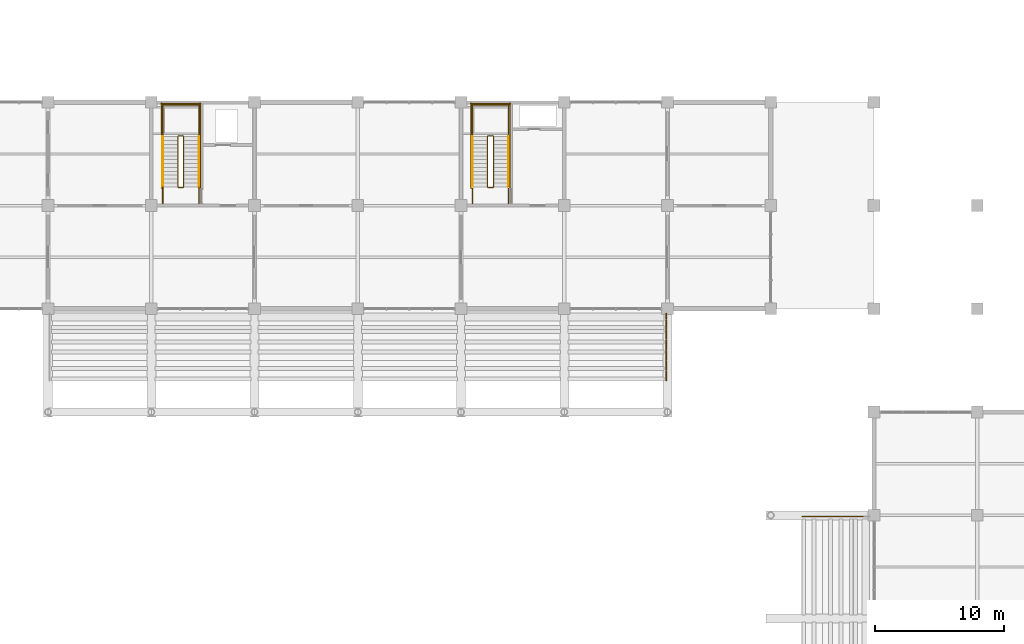
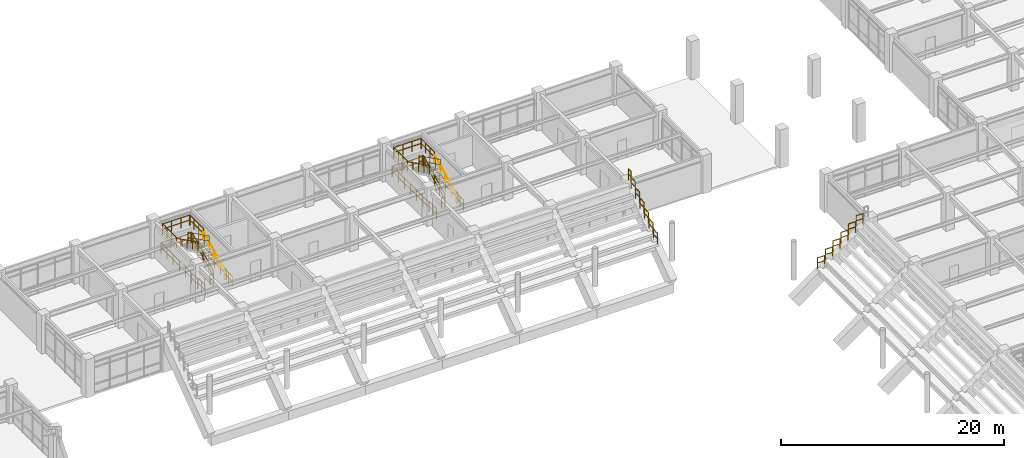
# One storey, part 116 of 118: 41 railings.
"""IFC4 building model written with IfcOpenShell, lengths in metres."""

from ifc_helpers import new_model, si_unit, direction, frame, origin, origin_2d, place, context, subcontext, project, spatial, circle, extrude, material, type_object, element, save


model = new_model("IFC4")

# Units and contexts
model_context = context("Model", 3, precision=1e-05, world=origin(), true_north=direction((0.0, 1.0)))
body_context = subcontext(model_context, "Body", "Model", "MODEL_VIEW")
ifc_project = project(units=[si_unit("LENGTHUNIT", "METRE"), si_unit("AREAUNIT", "SQUARE_METRE"), si_unit("VOLUMEUNIT", "CUBIC_METRE"), si_unit("PLANEANGLEUNIT", "RADIAN"), si_unit("MASSUNIT", "GRAM", prefix="KILO")], contexts=[model_context])

# Site, building, storey
site_placement = place(None, origin())
site = spatial("IfcSite", under=ifc_project, at=site_placement, CompositionType="ELEMENT")
building_placement = place(site_placement, origin())
building = spatial("IfcBuilding", under=site, at=building_placement, Name="Haebicheon Civic Stadium", CompositionType="ELEMENT")
storey_placement = place(building_placement, frame((0.0, 0.0, 14.39990234375)))
storey = spatial("IfcBuildingStorey", under=building, at=storey_placement, Name="L04", CompositionType="ELEMENT", Elevation=14.39990234375)

# Railings
ifc_material_1 = material(Name="Stainless steel 316 and laminated glass", Category="steel")
railing_type_1 = type_object("IfcRailingType", Name="RL-BAL-1200", PredefinedType="BALUSTRADE", material=ifc_material_1)
for number, where, name in (
    (1, (138.43994140625, 135.89990234375, 0.3330078125), "TIER-E-U end-aisle side guard N.4"),
    (2, (139.239990234375, 135.89990234375, 0.97802734375), "TIER-E-U end-aisle side guard N.5"),
    (3, (140.0400390625, 135.89990234375, 1.6220703125), "TIER-E-U end-aisle side guard N.6"),
    (4, (140.840087890625, 135.89990234375, 2.26708984375), "TIER-E-U end-aisle side guard N.7"),
):
    element("IfcRailing", number, at=place(storey_placement, frame(where)), inside=storey, type_object=railing_type_1, material=ifc_material_1, Name=name, PredefinedType="BALUSTRADE", context=body_context, shape_type="SweptSolid", body=[
        extrude(circle(Radius=0.02392578125, at=origin_2d()), frame((0.0, 0.0, 1.17578125), z_axis=(1.0, 0.0, 0.0), x_axis=(0.0, 1.0, 0.0)), (0.0, 0.0, 1.0), 0.719970703125),
        extrude(circle(Radius=0.02392578125, at=origin_2d()), frame((0.0, 0.0, 0.60009765625), z_axis=(1.0, 0.0, 0.0), x_axis=(0.0, 1.0, 0.0)), (0.0, 0.0, 1.0), 0.719970703125),
        extrude(circle(Radius=0.02099609375, at=origin_2d()), origin(), (0.0, 0.0, 1.0), 1.15185546875),
        extrude(circle(Radius=0.02099609375, at=origin_2d()), frame((0.719970703125, 0.0, 0.0)), (0.0, 0.0, 1.0), 1.15185546875),
    ])
railing_1_placement = place(storey_placement, frame((141.639892578125, 135.89990234375, 2.9111328125)))
element("IfcRailing", 5, at=railing_1_placement, inside=storey, type_object=railing_type_1, material=ifc_material_1, Name="TIER-E-U end-aisle side guard N.8", PredefinedType="BALUSTRADE", context=body_context, shape_type="SweptSolid", body=[
    extrude(circle(Radius=0.02392578125, at=origin_2d()), frame((0.0, 0.0, 1.17578125), z_axis=(1.0, 0.0, 0.0), x_axis=(0.0, 1.0, 0.0)), (0.0, 0.0, 1.0), 0.72021484375),
    extrude(circle(Radius=0.02392578125, at=origin_2d()), frame((0.0, 0.0, 0.60009765625), z_axis=(1.0, 0.0, 0.0), x_axis=(0.0, 1.0, 0.0)), (0.0, 0.0, 1.0), 0.72021484375),
    extrude(circle(Radius=0.02099609375, at=origin_2d()), origin(), (0.0, 0.0, 1.0), 1.15185546875),
    extrude(circle(Radius=0.02099609375, at=origin_2d()), frame((0.72021484375, 0.0, 0.0)), (0.0, 0.0, 1.0), 1.15185546875),
])
railing_2_placement = place(storey_placement, frame((142.43994140625, 135.89990234375, 3.55615234375)))
element("IfcRailing", 6, at=railing_2_placement, inside=storey, type_object=railing_type_1, material=ifc_material_1, Name="TIER-E-U end-aisle side guard N.9", PredefinedType="BALUSTRADE", context=body_context, shape_type="SweptSolid", body=[
    extrude(circle(Radius=0.02392578125, at=origin_2d()), frame((0.0, 0.0, 1.17578125), z_axis=(1.0, 0.0, 0.0), x_axis=(0.0, 1.0, 0.0)), (0.0, 0.0, 1.0), 0.719970703125),
    extrude(circle(Radius=0.02392578125, at=origin_2d()), frame((0.0, 0.0, 0.60009765625), z_axis=(1.0, 0.0, 0.0), x_axis=(0.0, 1.0, 0.0)), (0.0, 0.0, 1.0), 0.719970703125),
    extrude(circle(Radius=0.02099609375, at=origin_2d()), origin(), (0.0, 0.0, 1.0), 1.15185546875),
    extrude(circle(Radius=0.02099609375, at=origin_2d()), frame((0.719970703125, 0.0, 0.0)), (0.0, 0.0, 1.0), 1.15185546875),
])
for number, where, name in (
    (7, (127.89990234375, 146.43994140625, 0.3330078125), "TIER-N-U end-aisle side guard E.4"),
    (8, (127.89990234375, 147.239990234375, 0.97802734375), "TIER-N-U end-aisle side guard E.5"),
    (9, (127.89990234375, 148.0400390625, 1.6220703125), "TIER-N-U end-aisle side guard E.6"),
    (10, (127.89990234375, 148.840087890625, 2.26708984375), "TIER-N-U end-aisle side guard E.7"),
):
    element("IfcRailing", number, at=place(storey_placement, frame(where)), inside=storey, type_object=railing_type_1, material=ifc_material_1, Name=name, PredefinedType="BALUSTRADE", context=body_context, shape_type="SweptSolid", body=[
        extrude(circle(Radius=0.02392578125, at=origin_2d()), frame((0.0, 0.0, 1.17578125), z_axis=(0.0, 1.0, 0.0), x_axis=(-1.0, 0.0, 0.0)), (0.0, 0.0, 1.0), 0.719970703125),
        extrude(circle(Radius=0.02392578125, at=origin_2d()), frame((0.0, 0.0, 0.60009765625), z_axis=(0.0, 1.0, 0.0), x_axis=(-1.0, 0.0, 0.0)), (0.0, 0.0, 1.0), 0.719970703125),
        extrude(circle(Radius=0.02099609375, at=origin_2d()), origin(), (0.0, 0.0, 1.0), 1.15185546875),
        extrude(circle(Radius=0.02099609375, at=origin_2d()), frame((0.0, 0.719970703125, 0.0)), (0.0, 0.0, 1.0), 1.15185546875),
    ])
railing_3_placement = place(storey_placement, frame((127.89990234375, 149.639892578125, 2.9111328125)))
element("IfcRailing", 11, at=railing_3_placement, inside=storey, type_object=railing_type_1, material=ifc_material_1, Name="TIER-N-U end-aisle side guard E.8", PredefinedType="BALUSTRADE", context=body_context, shape_type="SweptSolid", body=[
    extrude(circle(Radius=0.02392578125, at=origin_2d()), frame((0.0, 0.0, 1.17578125), z_axis=(0.0, 1.0, 0.0), x_axis=(-1.0, 0.0, 0.0)), (0.0, 0.0, 1.0), 0.72021484375),
    extrude(circle(Radius=0.02392578125, at=origin_2d()), frame((0.0, 0.0, 0.60009765625), z_axis=(0.0, 1.0, 0.0), x_axis=(-1.0, 0.0, 0.0)), (0.0, 0.0, 1.0), 0.72021484375),
    extrude(circle(Radius=0.02099609375, at=origin_2d()), origin(), (0.0, 0.0, 1.0), 1.15185546875),
    extrude(circle(Radius=0.02099609375, at=origin_2d()), frame((0.0, 0.72021484375, 0.0)), (0.0, 0.0, 1.0), 1.15185546875),
])
railing_4_placement = place(storey_placement, frame((127.89990234375, 150.43994140625, 3.55615234375)))
element("IfcRailing", 12, at=railing_4_placement, inside=storey, type_object=railing_type_1, material=ifc_material_1, Name="TIER-N-U end-aisle side guard E.9", PredefinedType="BALUSTRADE", context=body_context, shape_type="SweptSolid", body=[
    extrude(circle(Radius=0.02392578125, at=origin_2d()), frame((0.0, 0.0, 1.17578125), z_axis=(0.0, 1.0, 0.0), x_axis=(-1.0, 0.0, 0.0)), (0.0, 0.0, 1.0), 0.719970703125),
    extrude(circle(Radius=0.02392578125, at=origin_2d()), frame((0.0, 0.0, 0.60009765625), z_axis=(0.0, 1.0, 0.0), x_axis=(-1.0, 0.0, 0.0)), (0.0, 0.0, 1.0), 0.719970703125),
    extrude(circle(Radius=0.02099609375, at=origin_2d()), origin(), (0.0, 0.0, 1.0), 1.15185546875),
    extrude(circle(Radius=0.02099609375, at=origin_2d()), frame((0.0, 0.719970703125, 0.0)), (0.0, 0.0, 1.0), 1.15185546875),
])
railing_5_placement = place(storey_placement, frame((127.89990234375, 151.239990234375, 4.2001953125)))
element("IfcRailing", 13, at=railing_5_placement, inside=storey, type_object=railing_type_1, material=ifc_material_1, Name="TIER-N-U end-aisle side guard E.10", PredefinedType="BALUSTRADE", context=body_context, shape_type="SweptSolid", body=[
    extrude(circle(Radius=0.02392578125, at=origin_2d()), frame((0.0, 0.0, 1.17578125), z_axis=(0.0, 1.0, 0.0), x_axis=(-1.0, 0.0, 0.0)), (0.0, 0.0, 1.0), 0.39990234375),
    extrude(circle(Radius=0.02392578125, at=origin_2d()), frame((0.0, 0.0, 0.60009765625), z_axis=(0.0, 1.0, 0.0), x_axis=(-1.0, 0.0, 0.0)), (0.0, 0.0, 1.0), 0.39990234375),
    extrude(circle(Radius=0.02099609375, at=origin_2d()), origin(), (0.0, 0.0, 1.0), 1.15185546875),
    extrude(circle(Radius=0.02099609375, at=origin_2d()), frame((0.0, 0.39990234375, 0.0)), (0.0, 0.0, 1.0), 1.15185546875),
])
ifc_material_2 = material(Name="Galvanised painted steel SM355", Category="steel")
railing_type_2 = type_object("IfcRailingType", Name="RL-GRD-1150", PredefinedType="GUARDRAIL", material=ifc_material_2)
railing_6_placement = place(storey_placement, frame((90.510009765625, 161.449951171875, 0.150146484375)))
element("IfcRailing", 14, at=railing_6_placement, inside=storey, type_object=railing_type_2, material=ifc_material_2, Name="L04 ST-08 stair guard 1", PredefinedType="GUARDRAIL", context=body_context, shape_type="SweptSolid", body=[
    extrude(circle(Radius=0.02392578125, at=origin_2d()), frame((0.0, 0.0, 1.1259765625), z_axis=(0.0, 0.894438388696, 0.447191199406), x_axis=(-1.0, 0.0, 0.0)), (0.0, 0.0, 1.0), 4.3603515625),
    extrude(circle(Radius=0.02392578125, at=origin_2d()), frame((0.0, 0.0, 0.574951171875), z_axis=(0.0, 0.894438388696, 0.447191199406), x_axis=(-1.0, 0.0, 0.0)), (0.0, 0.0, 1.0), 4.3603515625),
    extrude(circle(Radius=0.02099609375, at=origin_2d()), origin(), (0.0, 0.0, 1.0), 1.101806640625),
    extrude(circle(Radius=0.02099609375, at=origin_2d()), frame((0.0, 0.97509765625, 0.487548828125)), (0.0, 0.0, 1.0), 1.101806640625),
    extrude(circle(Radius=0.02099609375, at=origin_2d()), frame((0.0, 1.9501953125, 0.97509765625)), (0.0, 0.0, 1.0), 1.101806640625),
    extrude(circle(Radius=0.02099609375, at=origin_2d()), frame((0.0, 2.925048828125, 1.46240234375)), (0.0, 0.0, 1.0), 1.101806640625),
    extrude(circle(Radius=0.02099609375, at=origin_2d()), frame((0.0, 3.900146484375, 1.949951171875)), (0.0, 0.0, 1.0), 1.101806640625),
])
railing_7_placement = place(storey_placement, frame((90.4599609375, 165.39990234375, 2.10009765625)))
element("IfcRailing", 15, at=railing_7_placement, inside=storey, type_object=railing_type_2, material=ifc_material_2, Name="L04 ST-08 stair guard 2", PredefinedType="GUARDRAIL", context=body_context, shape_type="SweptSolid", body=[
    extrude(circle(Radius=0.02392578125, at=origin_2d()), frame((0.0, 0.0, 1.1259765625), z_axis=(-1.0, 0.0, 0.0), x_axis=(0.0, -1.0, 0.0)), (0.0, 0.0, 1.0), 0.33984375),
    extrude(circle(Radius=0.02392578125, at=origin_2d()), frame((0.0, 0.0, 0.574951171875), z_axis=(-1.0, 0.0, 0.0), x_axis=(0.0, -1.0, 0.0)), (0.0, 0.0, 1.0), 0.33984375),
    extrude(circle(Radius=0.02099609375, at=origin_2d()), origin(), (0.0, 0.0, 1.0), 1.101806640625),
    extrude(circle(Radius=0.02099609375, at=origin_2d()), frame((-0.33984375, 0.0, 0.0)), (0.0, 0.0, 1.0), 1.101806640625),
])
for number, where, name in (
    (16, (91.68994140625, 165.35009765625, 2.10009765625), "L04 ST-08 stair guard 3"),
    (17, (88.889892578125, 165.35009765625, 2.10009765625), "L04 ST-08 stair guard 4"),
):
    element("IfcRailing", number, at=place(storey_placement, frame(where)), inside=storey, type_object=railing_type_2, material=ifc_material_2, Name=name, PredefinedType="GUARDRAIL", context=body_context, shape_type="SweptSolid", body=[
        extrude(circle(Radius=0.02392578125, at=origin_2d()), frame((0.0, 0.0, 1.1259765625), z_axis=(0.0, 1.0, 0.0), x_axis=(-1.0, 0.0, 0.0)), (0.0, 0.0, 1.0), 2.489990234375),
        extrude(circle(Radius=0.02392578125, at=origin_2d()), frame((0.0, 0.0, 0.574951171875), z_axis=(0.0, 1.0, 0.0), x_axis=(-1.0, 0.0, 0.0)), (0.0, 0.0, 1.0), 2.489990234375),
        extrude(circle(Radius=0.02099609375, at=origin_2d()), origin(), (0.0, 0.0, 1.0), 1.101806640625),
        extrude(circle(Radius=0.02099609375, at=origin_2d()), frame((0.0, 0.830078125, 0.0)), (0.0, 0.0, 1.0), 1.101806640625),
        extrude(circle(Radius=0.02099609375, at=origin_2d()), frame((0.0, 1.659912109375, 0.0)), (0.0, 0.0, 1.0), 1.101806640625),
        extrude(circle(Radius=0.02099609375, at=origin_2d()), frame((0.0, 2.489990234375, 0.0)), (0.0, 0.0, 1.0), 1.101806640625),
    ])
railing_8_placement = place(storey_placement, frame((91.739990234375, 167.7900390625, 2.10009765625)))
element("IfcRailing", 18, at=railing_8_placement, inside=storey, type_object=railing_type_2, material=ifc_material_2, Name="L04 ST-08 stair guard 5", PredefinedType="GUARDRAIL", context=body_context, shape_type="SweptSolid", body=[
    extrude(circle(Radius=0.02392578125, at=origin_2d()), frame((0.0, 0.0, 1.1259765625), z_axis=(-1.0, 0.0, 0.0), x_axis=(0.0, -1.0, 0.0)), (0.0, 0.0, 1.0), 2.89990234375),
    extrude(circle(Radius=0.02392578125, at=origin_2d()), frame((0.0, 0.0, 0.574951171875), z_axis=(-1.0, 0.0, 0.0), x_axis=(0.0, -1.0, 0.0)), (0.0, 0.0, 1.0), 2.89990234375),
    extrude(circle(Radius=0.02099609375, at=origin_2d()), origin(), (0.0, 0.0, 1.0), 1.101806640625),
    extrude(circle(Radius=0.02099609375, at=origin_2d()), frame((-0.966552734375, 0.0, 0.0)), (0.0, 0.0, 1.0), 1.101806640625),
    extrude(circle(Radius=0.02099609375, at=origin_2d()), frame((-1.933349609375, 0.0, 0.0)), (0.0, 0.0, 1.0), 1.101806640625),
    extrude(circle(Radius=0.02099609375, at=origin_2d()), frame((-2.89990234375, 0.0, 0.0)), (0.0, 0.0, 1.0), 1.101806640625),
])
railing_9_placement = place(storey_placement, frame((90.070068359375, 165.35009765625, 2.25)))
element("IfcRailing", 19, at=railing_9_placement, inside=storey, type_object=railing_type_2, material=ifc_material_2, Name="L04 ST-08 stair guard 6", PredefinedType="GUARDRAIL", context=body_context, shape_type="SweptSolid", body=[
    extrude(circle(Radius=0.02392578125, at=origin_2d()), frame((0.0, 0.0, 1.1259765625), z_axis=(0.0, -0.894415993023, 0.447235990752), x_axis=(1.0, 0.0, 0.0)), (0.0, 0.0, 1.0), 4.360595703125),
    extrude(circle(Radius=0.02392578125, at=origin_2d()), frame((0.0, 0.0, 0.574951171875), z_axis=(0.0, -0.894415993023, 0.447235990752), x_axis=(1.0, 0.0, 0.0)), (0.0, 0.0, 1.0), 4.360595703125),
    extrude(circle(Radius=0.02099609375, at=origin_2d()), origin(), (0.0, 0.0, 1.0), 1.101806640625),
    extrude(circle(Radius=0.02099609375, at=origin_2d()), frame((0.0, -0.97509765625, 0.487548828125)), (0.0, 0.0, 1.0), 1.101806640625),
    extrude(circle(Radius=0.02099609375, at=origin_2d()), frame((0.0, -1.9501953125, 0.97509765625)), (0.0, 0.0, 1.0), 1.101806640625),
    extrude(circle(Radius=0.02099609375, at=origin_2d()), frame((0.0, -2.925048828125, 1.462646484375)), (0.0, 0.0, 1.0), 1.101806640625),
    extrude(circle(Radius=0.02099609375, at=origin_2d()), frame((0.0, -3.900146484375, 1.9501953125)), (0.0, 0.0, 1.0), 1.101806640625),
])
railing_10_placement = place(storey_placement, frame((90.4599609375, 161.39990234375, 0.0)))
element("IfcRailing", 20, at=railing_10_placement, inside=storey, type_object=railing_type_2, material=ifc_material_2, Name="L04 ST-08 stair guard 7", PredefinedType="GUARDRAIL", context=body_context, shape_type="SweptSolid", body=[
    extrude(circle(Radius=0.02392578125, at=origin_2d()), frame((0.0, 0.0, 1.1259765625), z_axis=(-1.0, 0.0, 0.0), x_axis=(0.0, -1.0, 0.0)), (0.0, 0.0, 1.0), 0.33984375),
    extrude(circle(Radius=0.02392578125, at=origin_2d()), frame((0.0, 0.0, 0.574951171875), z_axis=(-1.0, 0.0, 0.0), x_axis=(0.0, -1.0, 0.0)), (0.0, 0.0, 1.0), 0.33984375),
    extrude(circle(Radius=0.02099609375, at=origin_2d()), origin(), (0.0, 0.0, 1.0), 1.101806640625),
    extrude(circle(Radius=0.02099609375, at=origin_2d()), frame((-0.33984375, 0.0, 0.0)), (0.0, 0.0, 1.0), 1.101806640625),
])
for number, where, name in (
    (21, (91.68994140625, 160.159912109375, 0.0), "L04 ST-08 stair guard 8"),
    (22, (88.889892578125, 160.159912109375, 0.0), "L04 ST-08 stair guard 9"),
):
    element("IfcRailing", number, at=place(storey_placement, frame(where)), inside=storey, type_object=railing_type_2, material=ifc_material_2, Name=name, PredefinedType="GUARDRAIL", context=body_context, shape_type="SweptSolid", body=[
        extrude(circle(Radius=0.02392578125, at=origin_2d()), frame((0.0, 0.0, 1.1259765625), z_axis=(0.0, 1.0, 0.0), x_axis=(-1.0, 0.0, 0.0)), (0.0, 0.0, 1.0), 1.2900390625),
        extrude(circle(Radius=0.02392578125, at=origin_2d()), frame((0.0, 0.0, 0.574951171875), z_axis=(0.0, 1.0, 0.0), x_axis=(-1.0, 0.0, 0.0)), (0.0, 0.0, 1.0), 1.2900390625),
        extrude(circle(Radius=0.02099609375, at=origin_2d()), origin(), (0.0, 0.0, 1.0), 1.101806640625),
        extrude(circle(Radius=0.02099609375, at=origin_2d()), frame((0.0, 0.64501953125, 0.0)), (0.0, 0.0, 1.0), 1.101806640625),
        extrude(circle(Radius=0.02099609375, at=origin_2d()), frame((0.0, 1.2900390625, 0.0)), (0.0, 0.0, 1.0), 1.101806640625),
    ])
for number, where, name in (
    (23, (91.7900390625, 161.35009765625, 0.0), "L04 ST-08 stair guard 10"),
    (24, (88.7900390625, 161.35009765625, 0.0), "L04 ST-08 stair guard 11"),
):
    element("IfcRailing", number, at=place(storey_placement, frame(where)), inside=storey, type_object=railing_type_2, material=ifc_material_2, Name=name, PredefinedType="GUARDRAIL", context=body_context, shape_type="SweptSolid", body=[
        extrude(circle(Radius=0.02392578125, at=origin_2d()), frame((0.0, 0.0, 1.1259765625), z_axis=(0.0, 1.0, 0.0), x_axis=(-1.0, 0.0, 0.0)), (0.0, 0.0, 1.0), 6.58984375),
        extrude(circle(Radius=0.02392578125, at=origin_2d()), frame((0.0, 0.0, 0.574951171875), z_axis=(0.0, 1.0, 0.0), x_axis=(-1.0, 0.0, 0.0)), (0.0, 0.0, 1.0), 6.58984375),
        extrude(circle(Radius=0.02099609375, at=origin_2d()), origin(), (0.0, 0.0, 1.0), 1.101806640625),
        extrude(circle(Radius=0.02099609375, at=origin_2d()), frame((0.0, 1.098388671875, 0.0)), (0.0, 0.0, 1.0), 1.101806640625),
        extrude(circle(Radius=0.02099609375, at=origin_2d()), frame((0.0, 2.196533203125, 0.0)), (0.0, 0.0, 1.0), 1.101806640625),
        extrude(circle(Radius=0.02099609375, at=origin_2d()), frame((0.0, 3.294921875, 0.0)), (0.0, 0.0, 1.0), 1.101806640625),
        extrude(circle(Radius=0.02099609375, at=origin_2d()), frame((0.0, 4.393310546875, 0.0)), (0.0, 0.0, 1.0), 1.101806640625),
        extrude(circle(Radius=0.02099609375, at=origin_2d()), frame((0.0, 5.491455078125, 0.0)), (0.0, 0.0, 1.0), 1.101806640625),
        extrude(circle(Radius=0.02099609375, at=origin_2d()), frame((0.0, 6.58984375, 0.0)), (0.0, 0.0, 1.0), 1.101806640625),
    ])
railing_11_placement = place(storey_placement, frame((91.840087890625, 167.889892578125, 0.0)))
element("IfcRailing", 25, at=railing_11_placement, inside=storey, type_object=railing_type_2, material=ifc_material_2, Name="L04 ST-08 stair guard 12", PredefinedType="GUARDRAIL", context=body_context, shape_type="SweptSolid", body=[
    extrude(circle(Radius=0.02392578125, at=origin_2d()), frame((0.0, 0.0, 1.1259765625), z_axis=(-1.0, 0.0, 0.0), x_axis=(0.0, -1.0, 0.0)), (0.0, 0.0, 1.0), 3.10009765625),
    extrude(circle(Radius=0.02392578125, at=origin_2d()), frame((0.0, 0.0, 0.574951171875), z_axis=(-1.0, 0.0, 0.0), x_axis=(0.0, -1.0, 0.0)), (0.0, 0.0, 1.0), 3.10009765625),
    extrude(circle(Radius=0.02099609375, at=origin_2d()), origin(), (0.0, 0.0, 1.0), 1.101806640625),
    extrude(circle(Radius=0.02099609375, at=origin_2d()), frame((-1.033447265625, 0.0, 0.0)), (0.0, 0.0, 1.0), 1.101806640625),
    extrude(circle(Radius=0.02099609375, at=origin_2d()), frame((-2.066650390625, 0.0, 0.0)), (0.0, 0.0, 1.0), 1.101806640625),
    extrude(circle(Radius=0.02099609375, at=origin_2d()), frame((-3.10009765625, 0.0, 0.0)), (0.0, 0.0, 1.0), 1.101806640625),
])
railing_12_placement = place(storey_placement, frame((114.530029296875, 161.449951171875, 0.150146484375)))
element("IfcRailing", 26, at=railing_12_placement, inside=storey, type_object=railing_type_2, material=ifc_material_2, Name="L04 ST-09 stair guard 1", PredefinedType="GUARDRAIL", context=body_context, shape_type="SweptSolid", body=[
    extrude(circle(Radius=0.02392578125, at=origin_2d()), frame((0.0, 0.0, 1.1259765625), z_axis=(0.0, 0.894438388696, 0.447191199406), x_axis=(-1.0, 0.0, 0.0)), (0.0, 0.0, 1.0), 4.3603515625),
    extrude(circle(Radius=0.02392578125, at=origin_2d()), frame((0.0, 0.0, 0.574951171875), z_axis=(0.0, 0.894438388696, 0.447191199406), x_axis=(-1.0, 0.0, 0.0)), (0.0, 0.0, 1.0), 4.3603515625),
    extrude(circle(Radius=0.02099609375, at=origin_2d()), origin(), (0.0, 0.0, 1.0), 1.101806640625),
    extrude(circle(Radius=0.02099609375, at=origin_2d()), frame((0.0, 0.97509765625, 0.487548828125)), (0.0, 0.0, 1.0), 1.101806640625),
    extrude(circle(Radius=0.02099609375, at=origin_2d()), frame((0.0, 1.9501953125, 0.97509765625)), (0.0, 0.0, 1.0), 1.101806640625),
    extrude(circle(Radius=0.02099609375, at=origin_2d()), frame((0.0, 2.925048828125, 1.46240234375)), (0.0, 0.0, 1.0), 1.101806640625),
    extrude(circle(Radius=0.02099609375, at=origin_2d()), frame((0.0, 3.900146484375, 1.949951171875)), (0.0, 0.0, 1.0), 1.101806640625),
])
railing_13_placement = place(storey_placement, frame((114.47998046875, 165.39990234375, 2.10009765625)))
element("IfcRailing", 27, at=railing_13_placement, inside=storey, type_object=railing_type_2, material=ifc_material_2, Name="L04 ST-09 stair guard 2", PredefinedType="GUARDRAIL", context=body_context, shape_type="SweptSolid", body=[
    extrude(circle(Radius=0.02392578125, at=origin_2d()), frame((0.0, 0.0, 1.1259765625), z_axis=(-1.0, 0.0, 0.0), x_axis=(0.0, -1.0, 0.0)), (0.0, 0.0, 1.0), 0.3798828125),
    extrude(circle(Radius=0.02392578125, at=origin_2d()), frame((0.0, 0.0, 0.574951171875), z_axis=(-1.0, 0.0, 0.0), x_axis=(0.0, -1.0, 0.0)), (0.0, 0.0, 1.0), 0.3798828125),
    extrude(circle(Radius=0.02099609375, at=origin_2d()), origin(), (0.0, 0.0, 1.0), 1.101806640625),
    extrude(circle(Radius=0.02099609375, at=origin_2d()), frame((-0.3798828125, 0.0, 0.0)), (0.0, 0.0, 1.0), 1.101806640625),
])
for number, where, name in (
    (28, (115.68994140625, 165.35009765625, 2.10009765625), "L04 ST-09 stair guard 3"),
    (29, (112.889892578125, 165.35009765625, 2.10009765625), "L04 ST-09 stair guard 4"),
):
    element("IfcRailing", number, at=place(storey_placement, frame(where)), inside=storey, type_object=railing_type_2, material=ifc_material_2, Name=name, PredefinedType="GUARDRAIL", context=body_context, shape_type="SweptSolid", body=[
        extrude(circle(Radius=0.02392578125, at=origin_2d()), frame((0.0, 0.0, 1.1259765625), z_axis=(0.0, 1.0, 0.0), x_axis=(-1.0, 0.0, 0.0)), (0.0, 0.0, 1.0), 2.489990234375),
        extrude(circle(Radius=0.02392578125, at=origin_2d()), frame((0.0, 0.0, 0.574951171875), z_axis=(0.0, 1.0, 0.0), x_axis=(-1.0, 0.0, 0.0)), (0.0, 0.0, 1.0), 2.489990234375),
        extrude(circle(Radius=0.02099609375, at=origin_2d()), origin(), (0.0, 0.0, 1.0), 1.101806640625),
        extrude(circle(Radius=0.02099609375, at=origin_2d()), frame((0.0, 0.830078125, 0.0)), (0.0, 0.0, 1.0), 1.101806640625),
        extrude(circle(Radius=0.02099609375, at=origin_2d()), frame((0.0, 1.659912109375, 0.0)), (0.0, 0.0, 1.0), 1.101806640625),
        extrude(circle(Radius=0.02099609375, at=origin_2d()), frame((0.0, 2.489990234375, 0.0)), (0.0, 0.0, 1.0), 1.101806640625),
    ])
railing_14_placement = place(storey_placement, frame((115.739990234375, 167.7900390625, 2.10009765625)))
element("IfcRailing", 30, at=railing_14_placement, inside=storey, type_object=railing_type_2, material=ifc_material_2, Name="L04 ST-09 stair guard 5", PredefinedType="GUARDRAIL", context=body_context, shape_type="SweptSolid", body=[
    extrude(circle(Radius=0.02392578125, at=origin_2d()), frame((0.0, 0.0, 1.1259765625), z_axis=(-1.0, 0.0, 0.0), x_axis=(0.0, -1.0, 0.0)), (0.0, 0.0, 1.0), 2.89990234375),
    extrude(circle(Radius=0.02392578125, at=origin_2d()), frame((0.0, 0.0, 0.574951171875), z_axis=(-1.0, 0.0, 0.0), x_axis=(0.0, -1.0, 0.0)), (0.0, 0.0, 1.0), 2.89990234375),
    extrude(circle(Radius=0.02099609375, at=origin_2d()), origin(), (0.0, 0.0, 1.0), 1.101806640625),
    extrude(circle(Radius=0.02099609375, at=origin_2d()), frame((-0.966552734375, 0.0, 0.0)), (0.0, 0.0, 1.0), 1.101806640625),
    extrude(circle(Radius=0.02099609375, at=origin_2d()), frame((-1.933349609375, 0.0, 0.0)), (0.0, 0.0, 1.0), 1.101806640625),
    extrude(circle(Radius=0.02099609375, at=origin_2d()), frame((-2.89990234375, 0.0, 0.0)), (0.0, 0.0, 1.0), 1.101806640625),
])
railing_15_placement = place(storey_placement, frame((114.050048828125, 165.35009765625, 2.25)))
element("IfcRailing", 31, at=railing_15_placement, inside=storey, type_object=railing_type_2, material=ifc_material_2, Name="L04 ST-09 stair guard 6", PredefinedType="GUARDRAIL", context=body_context, shape_type="SweptSolid", body=[
    extrude(circle(Radius=0.02392578125, at=origin_2d()), frame((0.0, 0.0, 1.1259765625), z_axis=(0.0, -0.894415993023, 0.447235990752), x_axis=(1.0, 0.0, 0.0)), (0.0, 0.0, 1.0), 4.360595703125),
    extrude(circle(Radius=0.02392578125, at=origin_2d()), frame((0.0, 0.0, 0.574951171875), z_axis=(0.0, -0.894415993023, 0.447235990752), x_axis=(1.0, 0.0, 0.0)), (0.0, 0.0, 1.0), 4.360595703125),
    extrude(circle(Radius=0.02099609375, at=origin_2d()), origin(), (0.0, 0.0, 1.0), 1.101806640625),
    extrude(circle(Radius=0.02099609375, at=origin_2d()), frame((0.0, -0.97509765625, 0.487548828125)), (0.0, 0.0, 1.0), 1.101806640625),
    extrude(circle(Radius=0.02099609375, at=origin_2d()), frame((0.0, -1.9501953125, 0.97509765625)), (0.0, 0.0, 1.0), 1.101806640625),
    extrude(circle(Radius=0.02099609375, at=origin_2d()), frame((0.0, -2.925048828125, 1.462646484375)), (0.0, 0.0, 1.0), 1.101806640625),
    extrude(circle(Radius=0.02099609375, at=origin_2d()), frame((0.0, -3.900146484375, 1.9501953125)), (0.0, 0.0, 1.0), 1.101806640625),
])
railing_16_placement = place(storey_placement, frame((114.47998046875, 161.39990234375, 0.0)))
element("IfcRailing", 32, at=railing_16_placement, inside=storey, type_object=railing_type_2, material=ifc_material_2, Name="L04 ST-09 stair guard 7", PredefinedType="GUARDRAIL", context=body_context, shape_type="SweptSolid", body=[
    extrude(circle(Radius=0.02392578125, at=origin_2d()), frame((0.0, 0.0, 1.1259765625), z_axis=(-1.0, 0.0, 0.0), x_axis=(0.0, -1.0, 0.0)), (0.0, 0.0, 1.0), 0.3798828125),
    extrude(circle(Radius=0.02392578125, at=origin_2d()), frame((0.0, 0.0, 0.574951171875), z_axis=(-1.0, 0.0, 0.0), x_axis=(0.0, -1.0, 0.0)), (0.0, 0.0, 1.0), 0.3798828125),
    extrude(circle(Radius=0.02099609375, at=origin_2d()), origin(), (0.0, 0.0, 1.0), 1.101806640625),
    extrude(circle(Radius=0.02099609375, at=origin_2d()), frame((-0.3798828125, 0.0, 0.0)), (0.0, 0.0, 1.0), 1.101806640625),
])
for number, where, name in (
    (33, (115.68994140625, 160.159912109375, 0.0), "L04 ST-09 stair guard 8"),
    (34, (112.889892578125, 160.159912109375, 0.0), "L04 ST-09 stair guard 9"),
):
    element("IfcRailing", number, at=place(storey_placement, frame(where)), inside=storey, type_object=railing_type_2, material=ifc_material_2, Name=name, PredefinedType="GUARDRAIL", context=body_context, shape_type="SweptSolid", body=[
        extrude(circle(Radius=0.02392578125, at=origin_2d()), frame((0.0, 0.0, 1.1259765625), z_axis=(0.0, 1.0, 0.0), x_axis=(-1.0, 0.0, 0.0)), (0.0, 0.0, 1.0), 1.2900390625),
        extrude(circle(Radius=0.02392578125, at=origin_2d()), frame((0.0, 0.0, 0.574951171875), z_axis=(0.0, 1.0, 0.0), x_axis=(-1.0, 0.0, 0.0)), (0.0, 0.0, 1.0), 1.2900390625),
        extrude(circle(Radius=0.02099609375, at=origin_2d()), origin(), (0.0, 0.0, 1.0), 1.101806640625),
        extrude(circle(Radius=0.02099609375, at=origin_2d()), frame((0.0, 0.64501953125, 0.0)), (0.0, 0.0, 1.0), 1.101806640625),
        extrude(circle(Radius=0.02099609375, at=origin_2d()), frame((0.0, 1.2900390625, 0.0)), (0.0, 0.0, 1.0), 1.101806640625),
    ])
for number, where, name in (
    (35, (115.7900390625, 161.35009765625, 0.0), "L04 ST-09 stair guard 10"),
    (36, (112.7900390625, 161.35009765625, 0.0), "L04 ST-09 stair guard 11"),
):
    element("IfcRailing", number, at=place(storey_placement, frame(where)), inside=storey, type_object=railing_type_2, material=ifc_material_2, Name=name, PredefinedType="GUARDRAIL", context=body_context, shape_type="SweptSolid", body=[
        extrude(circle(Radius=0.02392578125, at=origin_2d()), frame((0.0, 0.0, 1.1259765625), z_axis=(0.0, 1.0, 0.0), x_axis=(-1.0, 0.0, 0.0)), (0.0, 0.0, 1.0), 6.58984375),
        extrude(circle(Radius=0.02392578125, at=origin_2d()), frame((0.0, 0.0, 0.574951171875), z_axis=(0.0, 1.0, 0.0), x_axis=(-1.0, 0.0, 0.0)), (0.0, 0.0, 1.0), 6.58984375),
        extrude(circle(Radius=0.02099609375, at=origin_2d()), origin(), (0.0, 0.0, 1.0), 1.101806640625),
        extrude(circle(Radius=0.02099609375, at=origin_2d()), frame((0.0, 1.098388671875, 0.0)), (0.0, 0.0, 1.0), 1.101806640625),
        extrude(circle(Radius=0.02099609375, at=origin_2d()), frame((0.0, 2.196533203125, 0.0)), (0.0, 0.0, 1.0), 1.101806640625),
        extrude(circle(Radius=0.02099609375, at=origin_2d()), frame((0.0, 3.294921875, 0.0)), (0.0, 0.0, 1.0), 1.101806640625),
        extrude(circle(Radius=0.02099609375, at=origin_2d()), frame((0.0, 4.393310546875, 0.0)), (0.0, 0.0, 1.0), 1.101806640625),
        extrude(circle(Radius=0.02099609375, at=origin_2d()), frame((0.0, 5.491455078125, 0.0)), (0.0, 0.0, 1.0), 1.101806640625),
        extrude(circle(Radius=0.02099609375, at=origin_2d()), frame((0.0, 6.58984375, 0.0)), (0.0, 0.0, 1.0), 1.101806640625),
    ])
railing_17_placement = place(storey_placement, frame((115.840087890625, 167.889892578125, 0.0)))
element("IfcRailing", 37, at=railing_17_placement, inside=storey, type_object=railing_type_2, material=ifc_material_2, Name="L04 ST-09 stair guard 12", PredefinedType="GUARDRAIL", context=body_context, shape_type="SweptSolid", body=[
    extrude(circle(Radius=0.02392578125, at=origin_2d()), frame((0.0, 0.0, 1.1259765625), z_axis=(-1.0, 0.0, 0.0), x_axis=(0.0, -1.0, 0.0)), (0.0, 0.0, 1.0), 3.10009765625),
    extrude(circle(Radius=0.02392578125, at=origin_2d()), frame((0.0, 0.0, 0.574951171875), z_axis=(-1.0, 0.0, 0.0), x_axis=(0.0, -1.0, 0.0)), (0.0, 0.0, 1.0), 3.10009765625),
    extrude(circle(Radius=0.02099609375, at=origin_2d()), origin(), (0.0, 0.0, 1.0), 1.101806640625),
    extrude(circle(Radius=0.02099609375, at=origin_2d()), frame((-1.033447265625, 0.0, 0.0)), (0.0, 0.0, 1.0), 1.101806640625),
    extrude(circle(Radius=0.02099609375, at=origin_2d()), frame((-2.066650390625, 0.0, 0.0)), (0.0, 0.0, 1.0), 1.101806640625),
    extrude(circle(Radius=0.02099609375, at=origin_2d()), frame((-3.10009765625, 0.0, 0.0)), (0.0, 0.0, 1.0), 1.101806640625),
])
ifc_material_3 = material(Name="Stainless steel 316", Category="steel")
railing_type_3 = type_object("IfcRailingType", Name="RL-HND-900", PredefinedType="HANDRAIL", material=ifc_material_3)
railing_18_placement = place(storey_placement, frame((91.68994140625, 161.449951171875, 0.150146484375)))
element("IfcRailing", 38, at=railing_18_placement, inside=storey, type_object=railing_type_3, material=ifc_material_3, Name="L04 ST-08 stair handrail 1", PredefinedType="HANDRAIL", context=body_context, shape_type="SweptSolid", body=[
    extrude(circle(Radius=0.02392578125, at=origin_2d()), frame((0.0, 0.0, 0.8759765625), z_axis=(0.0, 0.894438388696, 0.447191199406), x_axis=(-1.0, 0.0, 0.0)), (0.0, 0.0, 1.0), 4.3603515625),
    extrude(circle(Radius=0.02099609375, at=origin_2d()), origin(), (0.0, 0.0, 1.0), 0.851806640625),
    extrude(circle(Radius=0.02099609375, at=origin_2d()), frame((0.0, 0.97509765625, 0.487548828125)), (0.0, 0.0, 1.0), 0.851806640625),
    extrude(circle(Radius=0.02099609375, at=origin_2d()), frame((0.0, 1.9501953125, 0.97509765625)), (0.0, 0.0, 1.0), 0.851806640625),
    extrude(circle(Radius=0.02099609375, at=origin_2d()), frame((0.0, 2.925048828125, 1.46240234375)), (0.0, 0.0, 1.0), 0.851806640625),
    extrude(circle(Radius=0.02099609375, at=origin_2d()), frame((0.0, 3.900146484375, 1.949951171875)), (0.0, 0.0, 1.0), 0.851806640625),
])
railing_19_placement = place(storey_placement, frame((88.889892578125, 165.35009765625, 2.25)))
element("IfcRailing", 39, at=railing_19_placement, inside=storey, type_object=railing_type_3, material=ifc_material_3, Name="L04 ST-08 stair handrail 2", PredefinedType="HANDRAIL", context=body_context, shape_type="SweptSolid", body=[
    extrude(circle(Radius=0.02392578125, at=origin_2d()), frame((0.0, 0.0, 0.8759765625), z_axis=(0.0, -0.894415993023, 0.447235990752), x_axis=(1.0, 0.0, 0.0)), (0.0, 0.0, 1.0), 4.360595703125),
    extrude(circle(Radius=0.02099609375, at=origin_2d()), origin(), (0.0, 0.0, 1.0), 0.851806640625),
    extrude(circle(Radius=0.02099609375, at=origin_2d()), frame((0.0, -0.97509765625, 0.487548828125)), (0.0, 0.0, 1.0), 0.851806640625),
    extrude(circle(Radius=0.02099609375, at=origin_2d()), frame((0.0, -1.9501953125, 0.97509765625)), (0.0, 0.0, 1.0), 0.851806640625),
    extrude(circle(Radius=0.02099609375, at=origin_2d()), frame((0.0, -2.925048828125, 1.462646484375)), (0.0, 0.0, 1.0), 0.851806640625),
    extrude(circle(Radius=0.02099609375, at=origin_2d()), frame((0.0, -3.900146484375, 1.9501953125)), (0.0, 0.0, 1.0), 0.851806640625),
])
railing_20_placement = place(storey_placement, frame((115.68994140625, 161.449951171875, 0.150146484375)))
element("IfcRailing", 40, at=railing_20_placement, inside=storey, type_object=railing_type_3, material=ifc_material_3, Name="L04 ST-09 stair handrail 1", PredefinedType="HANDRAIL", context=body_context, shape_type="SweptSolid", body=[
    extrude(circle(Radius=0.02392578125, at=origin_2d()), frame((0.0, 0.0, 0.8759765625), z_axis=(0.0, 0.894438388696, 0.447191199406), x_axis=(-1.0, 0.0, 0.0)), (0.0, 0.0, 1.0), 4.3603515625),
    extrude(circle(Radius=0.02099609375, at=origin_2d()), origin(), (0.0, 0.0, 1.0), 0.851806640625),
    extrude(circle(Radius=0.02099609375, at=origin_2d()), frame((0.0, 0.97509765625, 0.487548828125)), (0.0, 0.0, 1.0), 0.851806640625),
    extrude(circle(Radius=0.02099609375, at=origin_2d()), frame((0.0, 1.9501953125, 0.97509765625)), (0.0, 0.0, 1.0), 0.851806640625),
    extrude(circle(Radius=0.02099609375, at=origin_2d()), frame((0.0, 2.925048828125, 1.46240234375)), (0.0, 0.0, 1.0), 0.851806640625),
    extrude(circle(Radius=0.02099609375, at=origin_2d()), frame((0.0, 3.900146484375, 1.949951171875)), (0.0, 0.0, 1.0), 0.851806640625),
])
railing_21_placement = place(storey_placement, frame((112.889892578125, 165.35009765625, 2.25)))
element("IfcRailing", 41, at=railing_21_placement, inside=storey, type_object=railing_type_3, material=ifc_material_3, Name="L04 ST-09 stair handrail 2", PredefinedType="HANDRAIL", context=body_context, shape_type="SweptSolid", body=[
    extrude(circle(Radius=0.02392578125, at=origin_2d()), frame((0.0, 0.0, 0.8759765625), z_axis=(0.0, -0.894415993023, 0.447235990752), x_axis=(1.0, 0.0, 0.0)), (0.0, 0.0, 1.0), 4.360595703125),
    extrude(circle(Radius=0.02099609375, at=origin_2d()), origin(), (0.0, 0.0, 1.0), 0.851806640625),
    extrude(circle(Radius=0.02099609375, at=origin_2d()), frame((0.0, -0.97509765625, 0.487548828125)), (0.0, 0.0, 1.0), 0.851806640625),
    extrude(circle(Radius=0.02099609375, at=origin_2d()), frame((0.0, -1.9501953125, 0.97509765625)), (0.0, 0.0, 1.0), 0.851806640625),
    extrude(circle(Radius=0.02099609375, at=origin_2d()), frame((0.0, -2.925048828125, 1.462646484375)), (0.0, 0.0, 1.0), 0.851806640625),
    extrude(circle(Radius=0.02099609375, at=origin_2d()), frame((0.0, -3.900146484375, 1.9501953125)), (0.0, 0.0, 1.0), 0.851806640625),
])

save(model, "model.ifc")
